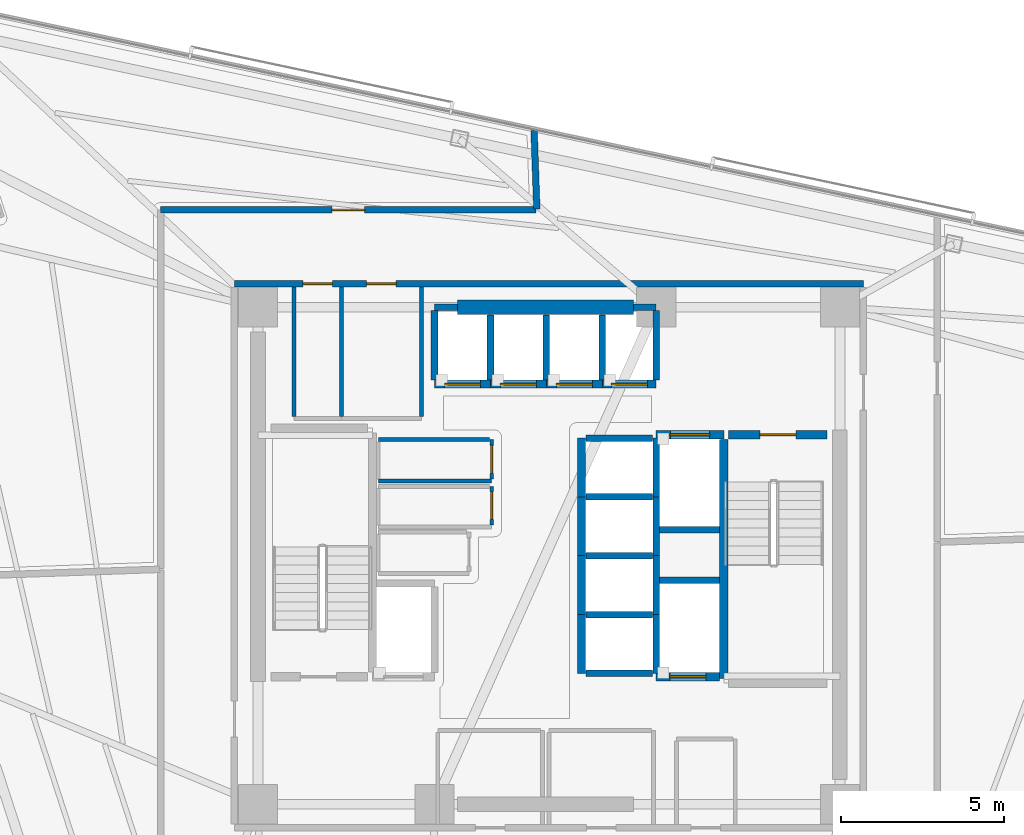
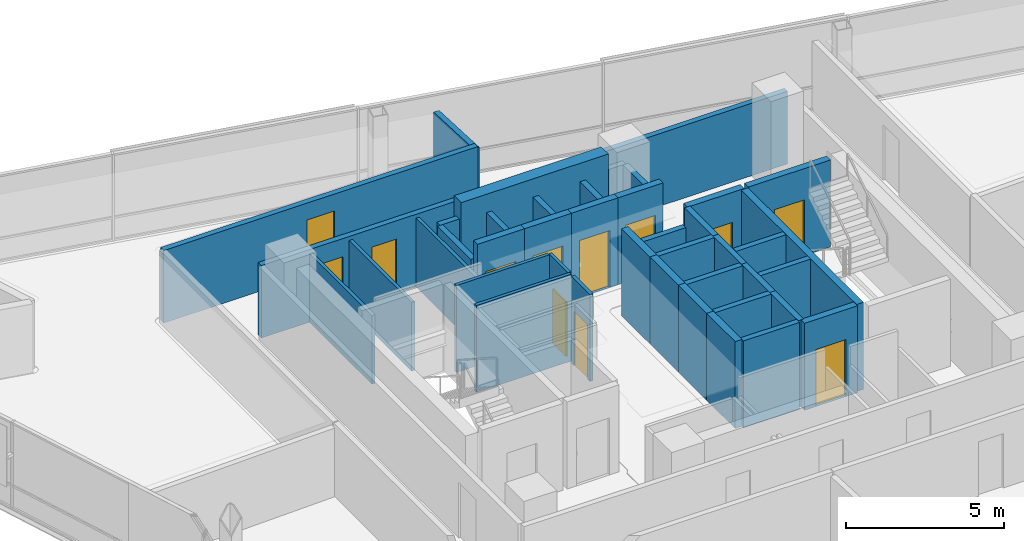
# One storey, part 11 of 17: 41 walls, 12 doors, 12 openings.
"""IFC4 building model written with IfcOpenShell, lengths in metres."""

import ifcopenshell
import ifcopenshell.guid

model = None  # the IFC model being written
_history = None  # IfcOwnerHistory: only IFC2X3 demands one
_inside = {}  # id of a spatial element -> (the spatial element, [elements in it])
_under = {}  # id of a project, library or spatial element -> (it, [spatial elements below it])
_declared = {}  # id of a project -> (the project, [libraries it declares])
_typed = {}  # id of a type object -> (the type object, [elements of that type])
_made_of = {}  # id of a material, layer set ... -> (it, [elements and type objects made of it])


def new_model(schema):
    """Start an empty IFC model of exactly this schema.

    Asked for "IFC4X3", IfcOpenShell would pick the latest addendum, in which some entities
    have other attributes; the version numbers below select the first issue.
    IFC2X3 requires an IfcOwnerHistory on every rooted entity: one is made here for all.
    """
    global model, _history
    if schema == "IFC4X3":
        model = ifcopenshell.file(schema_version=(4, 3, 0, 0))
    else:
        model = ifcopenshell.file(schema=schema)
    _inside.clear()
    _under.clear()
    _declared.clear()
    _typed.clear()
    _made_of.clear()
    _history = None
    if model.schema == "IFC2X3":
        org = make("IfcOrganization", Name="unknown")
        user = make(
            "IfcPersonAndOrganization",
            ThePerson=make("IfcPerson", FamilyName="unknown"),
            TheOrganization=org,
        )
        app = make(
            "IfcApplication",
            ApplicationDeveloper=org,
            Version="unknown",
            ApplicationFullName="unknown",
            ApplicationIdentifier="unknown",
        )
        _history = make(
            "IfcOwnerHistory",
            OwningUser=user,
            OwningApplication=app,
            ChangeAction="ADDED",
            CreationDate=0,
        )
    return model


def make(cls, **values):
    """One entity of the class cls with the attributes given. An attribute that is None is left unset."""
    return model.create_entity(
        cls, **{name: value for name, value in values.items() if value is not None}
    )


def rooted(cls, **values):
    """An entity with a GlobalId (a new one), such as an element, a storey or a relation."""
    return make(cls, GlobalId=ifcopenshell.guid.new(), OwnerHistory=_history, **values)


def si_unit(unit_type, name, prefix=None):
    """IfcSIUnit, for example si_unit("LENGTHUNIT", "METRE", prefix="MILLI")."""
    return make("IfcSIUnit", UnitType=unit_type, Prefix=prefix, Name=name)


def assignment(units):
    """IfcUnitAssignment: the units of a project."""
    return None if units is None else make("IfcUnitAssignment", Units=units)


def point(xyz):
    """IfcCartesianPoint."""
    return None if xyz is None else make("IfcCartesianPoint", Coordinates=xyz)


def direction(xyz):
    """IfcDirection."""
    return None if xyz is None else make("IfcDirection", DirectionRatios=xyz)


def frame(location, z_axis=None, x_axis=None):
    """IfcAxis2Placement3D, a coordinate frame: its origin and axes. An axis left out is left unset."""
    return make(
        "IfcAxis2Placement3D",
        Location=point(location),
        Axis=direction(z_axis),
        RefDirection=direction(x_axis),
    )


def frame_2d(location, x_axis=None):
    """IfcAxis2Placement2D, a coordinate frame in the plane: its origin and x axis."""
    return make(
        "IfcAxis2Placement2D", Location=point(location), RefDirection=direction(x_axis)
    )


def origin():
    """The frame at (0, 0, 0) with its axes left unset."""
    return frame((0.0, 0.0, 0.0))


def place(relative_to, where):
    """IfcLocalPlacement: puts the frame where relative to a parent placement (None: the world)."""
    return make(
        "IfcLocalPlacement", PlacementRelTo=relative_to, RelativePlacement=where
    )


def context(
    kind, dimensions, precision=None, world=None, true_north=None, identifier=None
):
    """IfcGeometricRepresentationContext, for example the 3D "Model" context."""
    return make(
        "IfcGeometricRepresentationContext",
        ContextIdentifier=identifier,
        ContextType=kind,
        CoordinateSpaceDimension=dimensions,
        Precision=precision,
        WorldCoordinateSystem=world,
        TrueNorth=true_north,
    )


def subcontext(parent, identifier, kind, view, scale=None):
    """IfcGeometricRepresentationSubContext, for example "Body" below "Model"."""
    return make(
        "IfcGeometricRepresentationSubContext",
        ContextIdentifier=identifier,
        ContextType=kind,
        ParentContext=parent,
        TargetScale=scale,
        TargetView=view,
    )


def project(units=None, contexts=None):
    """IfcProject with its units and contexts."""
    return rooted(
        "IfcProject",
        Name="project",
        RepresentationContexts=contexts,
        UnitsInContext=assignment(units),
    )


def spatial(cls, under=None, at=None, **own):
    """A site, building, storey or space (cls), placed at a placement, below another one or the project."""
    s = rooted(cls, ObjectPlacement=at, **own)
    if under is not None:
        _under.setdefault(under.id(), (under, []))[1].append(s)
    return s


def profile(cls, at=None, kind="AREA", **sizes):
    """A parametric profile (cls). Its sizes go by their IFC names, for example OverallWidth=200.0."""
    return make(cls, ProfileType=kind, Position=at, **sizes)


def rectangle(**sizes):
    """IfcRectangleProfileDef."""
    return profile("IfcRectangleProfileDef", **sizes)


def extrude(swept, where, along, depth):
    """IfcExtrudedAreaSolid: the profile swept, set in the frame where, extruded along a direction by depth."""
    return make(
        "IfcExtrudedAreaSolid",
        SweptArea=swept,
        Position=where,
        ExtrudedDirection=direction(along),
        Depth=depth,
    )


def shape(context_of_items, identifier, shape_type, items):
    """IfcShapeRepresentation: the items that make up one representation, for example the "Body"."""
    return make(
        "IfcShapeRepresentation",
        ContextOfItems=context_of_items,
        RepresentationIdentifier=identifier,
        RepresentationType=shape_type,
        Items=items,
    )


def material(Name=None, Category=None):
    """IfcMaterial."""
    return make("IfcMaterial", Name=Name, Category=Category)


def layer(
    of_material, thickness, ventilated=None, Name=None, Category=None, Priority=None
):
    """IfcMaterialLayer: one layer of a wall or slab, of a material (None: an air gap)."""
    return make(
        "IfcMaterialLayer",
        Material=of_material,
        LayerThickness=thickness,
        IsVentilated=ventilated,
        Name=Name,
        Category=Category,
        Priority=Priority,
    )


def layer_set(layers, Name=None):
    """IfcMaterialLayerSet."""
    return make("IfcMaterialLayerSet", MaterialLayers=layers, LayerSetName=Name)


def made_of(thing, what):
    """Note that an element or type object is made of a material, layer set ...; save() writes the relation."""
    if what is not None:
        _made_of.setdefault(what.id(), (what, []))[1].append(thing)
    return thing


def type_object(cls, material=None, **own):
    """A type object (cls), such as IfcWallType, which elements share."""
    return made_of(rooted(cls, **own), material)


def element(
    cls,
    number,
    at=None,
    inside=None,
    cuts=None,
    type_object=None,
    material=None,
    context=None,
    identifier="Body",
    shape_type=None,
    held_by="IfcProductDefinitionShape",
    body=None,
    shapes=None,
    **own,
):
    """One element of the class cls, such as IfcWall. Its Tag is "e" and its number.

    at: its placement. inside: the storey or other place that contains it. cuts: it is an
    opening in that element (IfcRelVoidsElement). A single representation is given by context,
    identifier, shape_type and body (its items); several are given by shapes. held_by: the class
    of the entity that holds the representations. save() writes the other relations.
    """
    e = rooted(cls, Tag="e%d" % number, ObjectPlacement=at, **own)
    if body is not None:
        shapes = [shape(context, identifier, shape_type, body)]
    if shapes is not None:
        e.Representation = make(held_by, Representations=shapes)
    if inside is not None:
        _inside.setdefault(inside.id(), (inside, []))[1].append(e)
    if cuts is not None:
        rooted(
            "IfcRelVoidsElement", RelatingBuildingElement=cuts, RelatedOpeningElement=e
        )
    if type_object is not None:
        _typed.setdefault(type_object.id(), (type_object, []))[1].append(e)
    return made_of(e, material)


def fill(opening, filler):
    """IfcRelFillsElement: the door or window that sits in an opening."""
    return rooted(
        "IfcRelFillsElement",
        RelatingOpeningElement=opening,
        RelatedBuildingElement=filler,
    )


def aggregate(whole, parts):
    """IfcRelAggregates: a whole, such as a stair, and the parts it consists of."""
    return rooted("IfcRelAggregates", RelatingObject=whole, RelatedObjects=parts)


def save(model, path):
    """Write the relations noted so far, then the file.

    IfcRelAggregates (storeys below a building ...), IfcRelContainedInSpatialStructure (elements
    in a storey), IfcRelDefinesByType, IfcRelAssociatesMaterial and IfcRelDeclares: one each for
    every whole, place, type object, material and project.
    """
    for whole, parts in _under.values():
        aggregate(whole, parts)
    for where, things in _inside.values():
        rooted(
            "IfcRelContainedInSpatialStructure",
            RelatedElements=things,
            RelatingStructure=where,
        )
    for kind, things in _typed.values():
        rooted("IfcRelDefinesByType", RelatedObjects=things, RelatingType=kind)
    for what, things in _made_of.values():
        rooted("IfcRelAssociatesMaterial", RelatedObjects=things, RelatingMaterial=what)
    for by, libraries in _declared.values():
        rooted("IfcRelDeclares", RelatingContext=by, RelatedDefinitions=libraries)
    model.write(path)


model = new_model("IFC4")

# Units and contexts
model_context = context("Model", 3, precision=1e-05, world=origin(), true_north=direction((0.0, 1.0)))
body_context = subcontext(model_context, "Body", "Model", "MODEL_VIEW")
ifc_project = project(units=[si_unit("LENGTHUNIT", "METRE"), si_unit("AREAUNIT", "SQUARE_METRE"), si_unit("VOLUMEUNIT", "CUBIC_METRE"), si_unit("PLANEANGLEUNIT", "RADIAN"), si_unit("MASSUNIT", "GRAM", prefix="KILO")], contexts=[model_context])

# Site, building, storey
site_placement = place(None, origin())
site = spatial("IfcSite", under=ifc_project, at=site_placement, CompositionType="ELEMENT")
building_placement = place(site_placement, origin())
building = spatial("IfcBuilding", under=site, at=building_placement, Name="Tharavind Bronze Gate", CompositionType="ELEMENT")
storey_placement = place(building_placement, frame((0.0, 0.0, 218.449951171875)))
storey = spatial("IfcBuildingStorey", under=building, at=storey_placement, Name="L56", CompositionType="ELEMENT", Elevation=218.449951171875)

# Wall, openings, doors
ifc_material_1 = material(Name="Aerated Concrete Block", Category="concrete")
ifc_layer_1 = layer(ifc_material_1, 0.199951171875)
ifc_layer_set_1 = layer_set([ifc_layer_1], Name="Aerated Concrete Block")
wall_type_1 = type_object("IfcWallType", Name="FIRE RATED PARTITION 200", PredefinedType="PARTITIONING", material=ifc_layer_set_1)
wall_1_placement = place(storey_placement, frame((9.6201171875, 8.320068359375, 0.0), z_axis=(0.0, 0.0, 1.0), x_axis=(-1.0, 0.0, 0.0)))
wall_1 = element("IfcWall", 1, at=wall_1_placement, inside=storey, type_object=wall_type_1, Name="L56 north core corridor wall", PredefinedType="PARTITIONING", context=body_context, shape_type="SweptSolid", body=[
    extrude(rectangle(XDim=19.240234375, YDim=0.199951171875, at=frame_2d((9.6201171875, 0.0))), origin(), (0.0, 0.0, 1.0), 2.804931640625),
])
opening_1_placement = place(wall_1_placement, frame((16.2451171875, 0.0, 0.0)))
opening_1 = element("IfcOpeningElement", 2, at=opening_1_placement, cuts=wall_1, Name="Opening ID07", PredefinedType="OPENING", context=body_context, shape_type="SweptSolid", body=[
    extrude(rectangle(XDim=0.89990234375, YDim=2.10009765625, at=frame_2d((0.449951171875, 1.050048828125))), frame((0.0, 0.11009765625, 0.0), z_axis=(0.0, -1.0, 0.0), x_axis=(1.0, 0.0, 0.0)), (0.0, 0.0, 1.0), 0.219951171875),
])
opening_2_placement = place(wall_1_placement, frame((14.294921875, 0.0, 0.0)))
opening_2 = element("IfcOpeningElement", 3, at=opening_2_placement, cuts=wall_1, Name="Opening ID07", PredefinedType="OPENING", context=body_context, shape_type="SweptSolid", body=[
    extrude(rectangle(XDim=0.89990234375, YDim=2.10009765625, at=frame_2d((0.449951171875, 1.050048828125))), frame((0.0, 0.11009765625, 0.0), z_axis=(0.0, -1.0, 0.0), x_axis=(1.0, 0.0, 0.0)), (0.0, 0.0, 1.0), 0.219951171875),
])
ifc_material_2 = material(Name="Galvanised Fire Steel", Category="steel")
door_type_1 = type_object("IfcDoorType", Name="PLANT AND RISER FIRE DOOR 900X2100", OperationType="SINGLE_SWING_LEFT", PredefinedType="DOOR", material=ifc_material_2)
door_1_placement = place(opening_1_placement, frame((0.89990234375, 0.0, 0.0), z_axis=(0.0, 0.0, 1.0), x_axis=(-1.0, 0.0, 0.0)))
door_1 = element("IfcDoor", 4, at=door_1_placement, inside=storey, type_object=door_type_1, Name="L56 Battery Backup Cupboard fire door", OperationType="SINGLE_SWING_LEFT", OverallHeight=2.10009765625, OverallWidth=0.89990234375, PredefinedType="DOOR", context=body_context, shape_type="SweptSolid", body=[
    extrude(rectangle(XDim=0.89990234375, YDim=2.10009765625, at=frame_2d((0.449951171875, 1.050048828125))), frame((0.0, 0.02490234375, 0.0), z_axis=(0.0, -1.0, 0.0), x_axis=(1.0, 0.0, 0.0)), (0.0, 0.0, 1.0), 0.050048828125),
])
fill(opening_1, door_1)
door_2_placement = place(opening_2_placement, frame((0.89990234375, 0.0, 0.0), z_axis=(0.0, 0.0, 1.0), x_axis=(-1.0, 0.0, 0.0)))
door_2 = element("IfcDoor", 5, at=door_2_placement, inside=storey, type_object=door_type_1, Name="L56 Cleaner Store Room fire door", OperationType="SINGLE_SWING_LEFT", OverallHeight=2.10009765625, OverallWidth=0.89990234375, PredefinedType="DOOR", context=body_context, shape_type="SweptSolid", body=[
    extrude(rectangle(XDim=0.89990234375, YDim=2.10009765625, at=frame_2d((0.449951171875, 1.050048828125))), frame((0.0, 0.02490234375, 0.0), z_axis=(0.0, -1.0, 0.0), x_axis=(1.0, 0.0, 0.0)), (0.0, 0.0, 1.0), 0.050048828125),
])
fill(opening_2, door_2)

# Wall
wall_2_placement = place(storey_placement, frame((-0.45458984375, 13.014892578125, 0.0), z_axis=(0.0, 0.0, 1.0), x_axis=(0.034943681227, -0.999389283084, 0.0)))
element("IfcWall", 6, at=wall_2_placement, inside=storey, type_object=wall_type_1, Name="L56 Media Production Office partition", PredefinedType="PARTITIONING", context=body_context, shape_type="SweptSolid", body=[
    extrude(rectangle(XDim=2.410400390625, YDim=0.199951171875, at=frame_2d((1.205078125, 0.0))), origin(), (0.0, 0.0, 1.0), 2.655029296875),
])

# Wall, opening, door
wall_3_placement = place(storey_placement, frame((-0.395263671875, 10.580078125, 0.0), z_axis=(0.0, 0.0, 1.0), x_axis=(-1.0, 0.0, 0.0)))
wall_3 = element("IfcWall", 7, at=wall_3_placement, inside=storey, type_object=wall_type_1, Name="L56 Media Production Office partition", PredefinedType="PARTITIONING", context=body_context, shape_type="SweptSolid", body=[
    extrude(rectangle(XDim=11.484130859375, YDim=0.199951171875, at=frame_2d((5.7421875, 0.0))), origin(), (0.0, 0.0, 1.0), 2.804931640625),
])
opening_3_placement = place(wall_3_placement, frame((5.241943359375, 0.0, 0.0)))
opening_3 = element("IfcOpeningElement", 8, at=opening_3_placement, cuts=wall_3, Name="Opening ID04", PredefinedType="OPENING", context=body_context, shape_type="SweptSolid", body=[
    extrude(rectangle(XDim=1.0, YDim=2.14990234375, at=frame_2d((0.5, 1.074951171875))), frame((0.0, 0.11009765625, 0.0), z_axis=(0.0, -1.0, 0.0), x_axis=(1.0, 0.0, 0.0)), (0.0, 0.0, 1.0), 0.219951171875),
])
ifc_material_3 = material(Name="Bronze Framed Acoustic Timber", Category="wood")
door_type_2 = type_object("IfcDoorType", Name="OFFICE TENANCY DOOR 1000X2150", OperationType="SINGLE_SWING_RIGHT", PredefinedType="DOOR", material=ifc_material_3)
door_3_placement = place(opening_3_placement, origin())
door_3 = element("IfcDoor", 9, at=door_3_placement, inside=storey, type_object=door_type_2, Name="L56 Media Production Office door", OperationType="SINGLE_SWING_RIGHT", OverallHeight=2.14990234375, OverallWidth=1.0, PredefinedType="DOOR", context=body_context, shape_type="SweptSolid", body=[
    extrude(rectangle(XDim=1.0, YDim=2.14990234375, at=frame_2d((0.5, 1.074951171875))), frame((0.0, 0.02490234375, 0.0), z_axis=(0.0, -1.0, 0.0), x_axis=(1.0, 0.0, 0.0)), (0.0, 0.0, 1.0), 0.050048828125),
])
fill(opening_3, door_3)

# Wall
ifc_material_4 = material(Name="Metal Stud Gypsum Partition", Category="gypsum")
ifc_layer_2 = layer(ifc_material_4, 0.1201171875)
ifc_layer_set_2 = layer_set([ifc_layer_2], Name="Metal Stud Gypsum Partition")
wall_type_2 = type_object("IfcWallType", Name="INTERIOR PARTITION WALL 120", PredefinedType="PARTITIONING", material=ifc_layer_set_2)
wall_4_placement = place(storey_placement, frame((-5.219970703125, 2.280029296875, 0.0), z_axis=(0.0, 0.0, 1.0), x_axis=(1.0, 0.0, 0.0)))
element("IfcWall", 10, at=wall_4_placement, inside=storey, type_object=wall_type_2, Name="L56 Housekeeping Linen Store partition 1", PredefinedType="PARTITIONING", context=body_context, shape_type="SweptSolid", body=[
    extrude(rectangle(XDim=3.469970703125, YDim=0.1201171875, at=frame_2d((1.73486328125, 0.0))), origin(), (0.0, 0.0, 1.0), 3.360107421875),
])

# Wall, opening, door
wall_5_placement = place(storey_placement, frame((-1.75, 2.344970703125, 0.0), z_axis=(0.0, 0.0, 1.0), x_axis=(0.0, 1.0, 0.0)))
wall_5 = element("IfcWall", 11, at=wall_5_placement, inside=storey, type_object=wall_type_2, Name="L56 Housekeeping Linen Store partition 2", PredefinedType="PARTITIONING", context=body_context, shape_type="SweptSolid", body=[
    extrude(rectangle(XDim=1.205078125, YDim=0.1201171875, at=frame_2d((0.6025390625, 0.0))), origin(), (0.0, 0.0, 1.0), 3.360107421875),
])
opening_4_placement = place(wall_5_placement, frame((0.177001953125, 0.0, 0.0)))
opening_4 = element("IfcOpeningElement", 12, at=opening_4_placement, cuts=wall_5, Name="Opening ID06", PredefinedType="OPENING", context=body_context, shape_type="SweptSolid", body=[
    extrude(rectangle(XDim=0.85009765625, YDim=2.10009765625, at=frame_2d((0.425048828125, 1.050048828125))), frame((0.0, 0.07005859375, 0.0), z_axis=(0.0, -1.0, 0.0), x_axis=(1.0, 0.0, 0.0)), (0.0, 0.0, 1.0), 0.1401171875),
])
ifc_material_5 = material(Name="Moisture-Resistant Timber", Category="wood")
door_type_3 = type_object("IfcDoorType", Name="BATHROOM PRIVACY DOOR 850X2100", OperationType="SINGLE_SWING_RIGHT", PredefinedType="DOOR", material=ifc_material_5)
door_4_placement = place(opening_4_placement, frame((0.85009765625, 0.0, 0.0), z_axis=(0.0, 0.0, 1.0), x_axis=(-1.0, 0.0, 0.0)))
door_4 = element("IfcDoor", 13, at=door_4_placement, inside=storey, type_object=door_type_3, Name="L56 Housekeeping Linen Store door", OperationType="SINGLE_SWING_RIGHT", OverallHeight=2.10009765625, OverallWidth=0.85009765625, PredefinedType="DOOR", context=body_context, shape_type="SweptSolid", body=[
    extrude(rectangle(XDim=0.85009765625, YDim=2.10009765625, at=frame_2d((0.425048828125, 1.050048828125))), frame((0.0, 0.02490234375, 0.0), z_axis=(0.0, -1.0, 0.0), x_axis=(1.0, 0.0, 0.0)), (0.0, 0.0, 1.0), 0.050048828125),
])
fill(opening_4, door_4)

# Wall
wall_6_placement = place(storey_placement, frame((-1.81494140625, 3.550048828125, 0.0), z_axis=(0.0, 0.0, 1.0), x_axis=(-1.0, 0.0, 0.0)))
element("IfcWall", 14, at=wall_6_placement, inside=storey, type_object=wall_type_2, Name="L56 Housekeeping Linen Store partition 3", PredefinedType="PARTITIONING", context=body_context, shape_type="SweptSolid", body=[
    extrude(rectangle(XDim=3.405029296875, YDim=0.1201171875, at=frame_2d((1.70263671875, 0.0))), origin(), (0.0, 0.0, 1.0), 3.360107421875),
])

# Wall, opening, door
wall_7_placement = place(storey_placement, frame((-1.75, 0.945068359375, 0.0), z_axis=(0.0, 0.0, 1.0), x_axis=(0.0, 1.0, 0.0)))
wall_7 = element("IfcWall", 15, at=wall_7_placement, inside=storey, type_object=wall_type_2, Name="L56 Comms Data Room partition 2", PredefinedType="PARTITIONING", context=body_context, shape_type="SweptSolid", body=[
    extrude(rectangle(XDim=1.175048828125, YDim=0.1201171875, at=frame_2d((0.58740234375, 0.0))), origin(), (0.0, 0.0, 1.0), 3.360107421875),
])
opening_5_placement = place(wall_7_placement, frame((0.1630859375, 0.0, 0.0)))
opening_5 = element("IfcOpeningElement", 16, at=opening_5_placement, cuts=wall_7, Name="Opening ID06", PredefinedType="OPENING", context=body_context, shape_type="SweptSolid", body=[
    extrude(rectangle(XDim=0.85009765625, YDim=2.10009765625, at=frame_2d((0.425048828125, 1.050048828125))), frame((0.0, 0.07005859375, 0.0), z_axis=(0.0, -1.0, 0.0), x_axis=(1.0, 0.0, 0.0)), (0.0, 0.0, 1.0), 0.1401171875),
])
door_5_placement = place(opening_5_placement, frame((0.85009765625, 0.0, 0.0), z_axis=(0.0, 0.0, 1.0), x_axis=(-1.0, 0.0, 0.0)))
door_5 = element("IfcDoor", 17, at=door_5_placement, inside=storey, type_object=door_type_3, Name="L56 Comms Data Room door", OperationType="SINGLE_SWING_RIGHT", OverallHeight=2.10009765625, OverallWidth=0.85009765625, PredefinedType="DOOR", context=body_context, shape_type="SweptSolid", body=[
    extrude(rectangle(XDim=0.85009765625, YDim=2.10009765625, at=frame_2d((0.425048828125, 1.050048828125))), frame((0.0, 0.02490234375, 0.0), z_axis=(0.0, -1.0, 0.0), x_axis=(1.0, 0.0, 0.0)), (0.0, 0.0, 1.0), 0.050048828125),
])
fill(opening_5, door_5)

# Walls
for number, where, z_axis, x_axis, name in (
    (18, (-6.35009765625, 4.264892578125, 0.0), (0.0, 0.0, 1.0), (0.0, 1.0, 0.0), "L56 Battery Backup Cupboard partition 2"),
    (19, (-7.800048828125, 8.215087890625, 0.0), (0.0, 0.0, 1.0), (0.0, -1.0, 0.0), "L56 Battery Backup Cupboard partition 4"),
    (20, (-3.89990234375, 4.264892578125, 0.0), (0.0, 0.0, 1.0), (0.0, 1.0, 0.0), "L56 Cleaner Store Room partition 2"),
):
    element("IfcWall", number, at=place(storey_placement, frame(where, z_axis=z_axis, x_axis=x_axis)), inside=storey, type_object=wall_type_2, Name=name, PredefinedType="PARTITIONING", context=body_context, shape_type="SweptSolid", body=[
        extrude(rectangle(XDim=3.9501953125, YDim=0.1201171875, at=frame_2d((1.97509765625, 0.0))), origin(), (0.0, 0.0, 1.0), 2.655029296875),
    ])
ifc_material_6 = material(Name="Concrete C50/60", Category="concrete")
ifc_layer_3 = layer(ifc_material_6, 0.25)
ifc_layer_set_3 = layer_set([ifc_layer_3], Name="Concrete C50/60")
wall_type_3 = type_object("IfcWallType", Name="RC CORE SHEAR WALL 250", PredefinedType="SHEAR", material=ifc_layer_set_3)
wall_8_placement = place(storey_placement, frame((5.35009765625, -3.75, 0.0), z_axis=(0.0, 0.0, 1.0), x_axis=(0.0, 1.0, 0.0)))
element("IfcWall", 21, at=wall_8_placement, inside=storey, type_object=wall_type_3, Name="L56 ST2 shaft west wall", PredefinedType="SHEAR", context=body_context, shape_type="SweptSolid", body=[
    extrude(rectangle(XDim=7.300048828125, YDim=0.25, at=frame_2d((3.64990234375, 0.0))), origin(), (0.0, 0.0, 1.0), 3.360107421875),
])

# Wall, opening, door
wall_9_placement = place(storey_placement, frame((5.5, 3.699951171875, 0.0), z_axis=(0.0, 0.0, 1.0), x_axis=(1.0, 0.0, 0.0)))
wall_9 = element("IfcWall", 22, at=wall_9_placement, inside=storey, type_object=wall_type_3, Name="L56 ST2 shaft north wall", PredefinedType="SHEAR", context=body_context, shape_type="SweptSolid", body=[
    extrude(rectangle(XDim=3.0, YDim=0.25, at=frame_2d((1.5, 0.0))), origin(), (0.0, 0.0, 1.0), 3.360107421875),
])
opening_6_placement = place(wall_9_placement, frame((0.949951171875, 0.0, 0.0)))
opening_6 = element("IfcOpeningElement", 23, at=opening_6_placement, cuts=wall_9, Name="Opening ID01", PredefinedType="OPENING", context=body_context, shape_type="SweptSolid", body=[
    extrude(rectangle(XDim=1.10009765625, YDim=2.14990234375, at=frame_2d((0.550048828125, 1.074951171875))), frame((0.0, 0.135, 0.0), z_axis=(0.0, -1.0, 0.0), x_axis=(1.0, 0.0, 0.0)), (0.0, 0.0, 1.0), 0.27),
])
ifc_material_7 = material(Name="Fire-Rated Steel", Category="steel")
door_type_4 = type_object("IfcDoorType", Name="STAIR CORE FIRE DOOR 1100X2150", OperationType="SINGLE_SWING_LEFT", PredefinedType="DOOR", material=ifc_material_7)
door_6_placement = place(opening_6_placement, frame((1.10009765625, 0.0, 0.0), z_axis=(0.0, 0.0, 1.0), x_axis=(-1.0, 0.0, 0.0)))
door_6 = element("IfcDoor", 24, at=door_6_placement, inside=storey, type_object=door_type_4, Name="L56 exit stair ST2 fire door", OperationType="SINGLE_SWING_LEFT", OverallHeight=2.14990234375, OverallWidth=1.10009765625, PredefinedType="DOOR", context=body_context, shape_type="SweptSolid", body=[
    extrude(rectangle(XDim=1.10009765625, YDim=2.14990234375, at=frame_2d((0.550048828125, 1.074951171875))), frame((0.0, 0.02490234375, 0.0), z_axis=(0.0, -1.0, 0.0), x_axis=(1.0, 0.0, 0.0)), (0.0, 0.0, 1.0), 0.050048828125),
])
fill(opening_6, door_6)

wall_10_placement = place(storey_placement, frame((-3.5, 5.25, 0.0), z_axis=(0.0, 0.0, 1.0), x_axis=(1.0, 0.0, 0.0)))
wall_10 = element("IfcWall", 25, at=wall_10_placement, inside=storey, type_object=wall_type_3, Name="L56 lift PL5 shaft front wall", PredefinedType="SHEAR", context=body_context, shape_type="SweptSolid", body=[
    extrude(rectangle(XDim=1.71240234375, YDim=0.25, at=frame_2d((0.856201171875, 0.0))), origin(), (0.0, 0.0, 1.0), 3.360107421875),
])
opening_7_placement = place(wall_10_placement, frame((0.305908203125, 0.0, 0.0)))
opening_7 = element("IfcOpeningElement", 26, at=opening_7_placement, cuts=wall_10, Name="Opening LD01", PredefinedType="OPENING", context=body_context, shape_type="SweptSolid", body=[
    extrude(rectangle(XDim=1.10009765625, YDim=2.199951171875, at=frame_2d((0.550048828125, 1.10009765625))), frame((0.0, 0.135, 0.0), z_axis=(0.0, -1.0, 0.0), x_axis=(1.0, 0.0, 0.0)), (0.0, 0.0, 1.0), 0.27),
])
ifc_material_8 = material(Name="Brushed Bronze Stainless Steel", Category="steel")
door_type_5 = type_object("IfcDoorType", Name="LIFT LANDING SLIDING DOOR 1100X2200", OperationType="SLIDING_TO_LEFT", PredefinedType="DOOR", material=ifc_material_8)
door_7_placement = place(opening_7_placement, origin())
door_7 = element("IfcDoor", 27, at=door_7_placement, inside=storey, type_object=door_type_5, Name="L56 lift PL5 sliding landing door", OperationType="SLIDING_TO_LEFT", OverallHeight=2.199951171875, OverallWidth=1.10009765625, PredefinedType="DOOR", context=body_context, shape_type="SweptSolid", body=[
    extrude(rectangle(XDim=1.10009765625, YDim=2.199951171875, at=frame_2d((0.550048828125, 1.10009765625))), frame((0.0, 0.02490234375, 0.0), z_axis=(0.0, -1.0, 0.0), x_axis=(1.0, 0.0, 0.0)), (0.0, 0.0, 1.0), 0.050048828125),
])
fill(opening_7, door_7)

wall_11_placement = place(storey_placement, frame((-1.78759765625, 5.25, 0.0), z_axis=(0.0, 0.0, 1.0), x_axis=(1.0, 0.0, 0.0)))
wall_11 = element("IfcWall", 28, at=wall_11_placement, inside=storey, type_object=wall_type_3, Name="L56 lift PL6 shaft front wall", PredefinedType="SHEAR", context=body_context, shape_type="SweptSolid", body=[
    extrude(rectangle(XDim=1.712646484375, YDim=0.25, at=frame_2d((0.8564453125, 0.0))), origin(), (0.0, 0.0, 1.0), 3.360107421875),
])
opening_8_placement = place(wall_11_placement, frame((0.305908203125, 0.0, 0.0)))
opening_8 = element("IfcOpeningElement", 29, at=opening_8_placement, cuts=wall_11, Name="Opening LD01", PredefinedType="OPENING", context=body_context, shape_type="SweptSolid", body=[
    extrude(rectangle(XDim=1.10009765625, YDim=2.199951171875, at=frame_2d((0.550048828125, 1.10009765625))), frame((0.0, 0.135, 0.0), z_axis=(0.0, -1.0, 0.0), x_axis=(1.0, 0.0, 0.0)), (0.0, 0.0, 1.0), 0.27),
])
door_8_placement = place(opening_8_placement, origin())
door_8 = element("IfcDoor", 30, at=door_8_placement, inside=storey, type_object=door_type_5, Name="L56 lift PL6 sliding landing door", OperationType="SLIDING_TO_LEFT", OverallHeight=2.199951171875, OverallWidth=1.10009765625, PredefinedType="DOOR", context=body_context, shape_type="SweptSolid", body=[
    extrude(rectangle(XDim=1.10009765625, YDim=2.199951171875, at=frame_2d((0.550048828125, 1.10009765625))), frame((0.0, 0.02490234375, 0.0), z_axis=(0.0, -1.0, 0.0), x_axis=(1.0, 0.0, 0.0)), (0.0, 0.0, 1.0), 0.050048828125),
])
fill(opening_8, door_8)

wall_12_placement = place(storey_placement, frame((-0.074951171875, 5.25, 0.0), z_axis=(0.0, 0.0, 1.0), x_axis=(1.0, 0.0, 0.0)))
wall_12 = element("IfcWall", 31, at=wall_12_placement, inside=storey, type_object=wall_type_3, Name="L56 lift PL7 shaft front wall", PredefinedType="SHEAR", context=body_context, shape_type="SweptSolid", body=[
    extrude(rectangle(XDim=1.71240234375, YDim=0.25, at=frame_2d((0.856201171875, 0.0))), origin(), (0.0, 0.0, 1.0), 3.360107421875),
])
opening_9_placement = place(wall_12_placement, frame((0.305908203125, 0.0, 0.0)))
opening_9 = element("IfcOpeningElement", 32, at=opening_9_placement, cuts=wall_12, Name="Opening LD01", PredefinedType="OPENING", context=body_context, shape_type="SweptSolid", body=[
    extrude(rectangle(XDim=1.10009765625, YDim=2.199951171875, at=frame_2d((0.550048828125, 1.10009765625))), frame((0.0, 0.135, 0.0), z_axis=(0.0, -1.0, 0.0), x_axis=(1.0, 0.0, 0.0)), (0.0, 0.0, 1.0), 0.27),
])
door_9_placement = place(opening_9_placement, origin())
door_9 = element("IfcDoor", 33, at=door_9_placement, inside=storey, type_object=door_type_5, Name="L56 lift PL7 sliding landing door", OperationType="SLIDING_TO_LEFT", OverallHeight=2.199951171875, OverallWidth=1.10009765625, PredefinedType="DOOR", context=body_context, shape_type="SweptSolid", body=[
    extrude(rectangle(XDim=1.10009765625, YDim=2.199951171875, at=frame_2d((0.550048828125, 1.10009765625))), frame((0.0, 0.02490234375, 0.0), z_axis=(0.0, -1.0, 0.0), x_axis=(1.0, 0.0, 0.0)), (0.0, 0.0, 1.0), 0.050048828125),
])
fill(opening_9, door_9)

wall_13_placement = place(storey_placement, frame((1.637451171875, 5.25, 0.0), z_axis=(0.0, 0.0, 1.0), x_axis=(1.0, 0.0, 0.0)))
wall_13 = element("IfcWall", 34, at=wall_13_placement, inside=storey, type_object=wall_type_3, Name="L56 lift PL8 shaft front wall", PredefinedType="SHEAR", context=body_context, shape_type="SweptSolid", body=[
    extrude(rectangle(XDim=1.642578125, YDim=0.25, at=frame_2d((0.8212890625, 0.0))), origin(), (0.0, 0.0, 1.0), 3.360107421875),
])
opening_10_placement = place(wall_13_placement, frame((0.27099609375, 0.0, 0.0)))
opening_10 = element("IfcOpeningElement", 35, at=opening_10_placement, cuts=wall_13, Name="Opening LD01", PredefinedType="OPENING", context=body_context, shape_type="SweptSolid", body=[
    extrude(rectangle(XDim=1.10009765625, YDim=2.199951171875, at=frame_2d((0.550048828125, 1.10009765625))), frame((0.0, 0.135, 0.0), z_axis=(0.0, -1.0, 0.0), x_axis=(1.0, 0.0, 0.0)), (0.0, 0.0, 1.0), 0.27),
])
door_10_placement = place(opening_10_placement, origin())
door_10 = element("IfcDoor", 36, at=door_10_placement, inside=storey, type_object=door_type_5, Name="L56 lift PL8 sliding landing door", OperationType="SLIDING_TO_LEFT", OverallHeight=2.199951171875, OverallWidth=1.10009765625, PredefinedType="DOOR", context=body_context, shape_type="SweptSolid", body=[
    extrude(rectangle(XDim=1.10009765625, YDim=2.199951171875, at=frame_2d((0.550048828125, 1.10009765625))), frame((0.0, 0.02490234375, 0.0), z_axis=(0.0, -1.0, 0.0), x_axis=(1.0, 0.0, 0.0)), (0.0, 0.0, 1.0), 0.050048828125),
])
fill(opening_10, door_10)

# Walls
for number, where, z_axis, x_axis, name in (
    (37, (1.0, -3.60009765625, 0.0), (0.0, 0.0, 1.0), (0.0, 1.0, 0.0), "L56 lift PL9 shaft front wall"),
    (38, (1.0, -1.800048828125, 0.0), (0.0, 0.0, 1.0), (0.0, 1.0, 0.0), "L56 lift PL10 shaft front wall"),
    (39, (1.0, 0.0, 0.0), (0.0, 0.0, 1.0), (0.0, 1.0, 0.0), "L56 lift PL11 shaft front wall"),
    (40, (1.0, 1.800048828125, 0.0), (0.0, 0.0, 1.0), (0.0, 1.0, 0.0), "L56 lift PL12 shaft front wall"),
):
    element("IfcWall", number, at=place(storey_placement, frame(where, z_axis=z_axis, x_axis=x_axis)), inside=storey, type_object=wall_type_3, Name=name, PredefinedType="SHEAR", context=body_context, shape_type="SweptSolid", body=[
        extrude(rectangle(XDim=1.800048828125, YDim=0.25, at=frame_2d((0.89990234375, 0.0))), origin(), (0.0, 0.0, 1.0), 3.360107421875),
    ])

# Wall, opening, door
wall_14_placement = place(storey_placement, frame((3.280029296875, 3.699951171875, 0.0), z_axis=(0.0, 0.0, 1.0), x_axis=(1.0, 0.0, 0.0)))
wall_14 = element("IfcWall", 41, at=wall_14_placement, inside=storey, type_object=wall_type_3, Name="L56 lift FFL2 shaft front wall", PredefinedType="SHEAR", context=body_context, shape_type="SweptSolid", body=[
    extrude(rectangle(XDim=2.070068359375, YDim=0.25, at=frame_2d((1.03515625, 0.0))), origin(), (0.0, 0.0, 1.0), 3.360107421875),
])
opening_11_placement = place(wall_14_placement, frame((0.43505859375, 0.0, 0.0)))
opening_11 = element("IfcOpeningElement", 42, at=opening_11_placement, cuts=wall_14, Name="Opening LD02", PredefinedType="OPENING", context=body_context, shape_type="SweptSolid", body=[
    extrude(rectangle(XDim=1.199951171875, YDim=2.199951171875, at=frame_2d((0.60009765625, 1.10009765625))), frame((0.0, 0.135, 0.0), z_axis=(0.0, -1.0, 0.0), x_axis=(1.0, 0.0, 0.0)), (0.0, 0.0, 1.0), 0.27),
])
ifc_material_9 = material(Name="Brushed Stainless Steel", Category="steel")
door_type_6 = type_object("IfcDoorType", Name="FIREFIGHTING LIFT LANDING DOOR 1200X2200", OperationType="SLIDING_TO_RIGHT", PredefinedType="DOOR", material=ifc_material_9)
door_11_placement = place(opening_11_placement, origin())
door_11 = element("IfcDoor", 43, at=door_11_placement, inside=storey, type_object=door_type_6, Name="L56 lift FFL2 sliding landing door", OperationType="SLIDING_TO_RIGHT", OverallHeight=2.199951171875, OverallWidth=1.199951171875, PredefinedType="DOOR", context=body_context, shape_type="SweptSolid", body=[
    extrude(rectangle(XDim=1.199951171875, YDim=2.199951171875, at=frame_2d((0.60009765625, 1.10009765625))), frame((0.0, 0.02490234375, 0.0), z_axis=(0.0, -1.0, 0.0), x_axis=(1.0, 0.0, 0.0)), (0.0, 0.0, 1.0), 0.050048828125),
])
fill(opening_11, door_11)

wall_15_placement = place(storey_placement, frame((3.280029296875, -3.699951171875, 0.0), z_axis=(0.0, 0.0, 1.0), x_axis=(1.0, 0.0, 0.0)))
wall_15 = element("IfcWall", 44, at=wall_15_placement, inside=storey, type_object=wall_type_3, Name="L56 lift SVL1 shaft front wall", PredefinedType="SHEAR", context=body_context, shape_type="SweptSolid", body=[
    extrude(rectangle(XDim=1.93994140625, YDim=0.25, at=frame_2d((0.969970703125, 0.0))), origin(), (0.0, 0.0, 1.0), 3.360107421875),
])
opening_12_placement = place(wall_15_placement, frame((0.419921875, 0.0, 0.0)))
opening_12 = element("IfcOpeningElement", 45, at=opening_12_placement, cuts=wall_15, Name="Opening LD01", PredefinedType="OPENING", context=body_context, shape_type="SweptSolid", body=[
    extrude(rectangle(XDim=1.10009765625, YDim=2.199951171875, at=frame_2d((0.550048828125, 1.10009765625))), frame((0.0, 0.135, 0.0), z_axis=(0.0, -1.0, 0.0), x_axis=(1.0, 0.0, 0.0)), (0.0, 0.0, 1.0), 0.27),
])
door_12_placement = place(opening_12_placement, origin())
door_12 = element("IfcDoor", 46, at=door_12_placement, inside=storey, type_object=door_type_5, Name="L56 lift SVL1 sliding landing door", OperationType="SLIDING_TO_LEFT", OverallHeight=2.199951171875, OverallWidth=1.10009765625, PredefinedType="DOOR", context=body_context, shape_type="SweptSolid", body=[
    extrude(rectangle(XDim=1.10009765625, YDim=2.199951171875, at=frame_2d((0.550048828125, 1.10009765625))), frame((0.0, 0.02490234375, 0.0), z_axis=(0.0, -1.0, 0.0), x_axis=(1.0, 0.0, 0.0)), (0.0, 0.0, 1.0), 0.050048828125),
])
fill(opening_12, door_12)

# Walls
ifc_material_10 = material(Name="Concrete C60/75", Category="concrete")
ifc_layer_4 = layer(ifc_material_10, 0.449951171875)
ifc_layer_set_4 = layer_set([ifc_layer_4], Name="Concrete C60/75")
wall_type_4 = type_object("IfcWallType", Name="RC CORE SHEAR WALL 450", PredefinedType="SHEAR", material=ifc_layer_set_4)
wall_16_placement = place(storey_placement, frame((-2.800048828125, 7.60009765625, 0.0), z_axis=(0.0, 0.0, 1.0), x_axis=(1.0, 0.0, 0.0)))
element("IfcWall", 47, at=wall_16_placement, inside=storey, type_object=wall_type_4, Name="L56 north core shear wall", PredefinedType="SHEAR", context=body_context, shape_type="SweptSolid", body=[
    extrude(rectangle(XDim=5.380126953125, YDim=0.449951171875, at=frame_2d((2.68994140625, 0.0))), origin(), (0.0, 0.0, 1.0), 3.360107421875),
])
ifc_material_11 = material(Name="Concrete C40/50", Category="concrete")
ifc_layer_5 = layer(ifc_material_11, 0.199951171875)
ifc_layer_set_5 = layer_set([ifc_layer_5], Name="Concrete C40/50")
wall_type_5 = type_object("IfcWallType", Name="SHAFT ENCLOSURE WALL 200", PredefinedType="PARTITIONING", material=ifc_layer_set_5)
wall_17_placement = place(storey_placement, frame((-3.5, 7.60009765625, 0.0), z_axis=(0.0, 0.0, 1.0), x_axis=(1.0, 0.0, 0.0)))
element("IfcWall", 48, at=wall_17_placement, inside=storey, type_object=wall_type_5, Name="L56 lift PL5 shaft N enclosure wall", PredefinedType="PARTITIONING", context=body_context, shape_type="SweptSolid", body=[
    extrude(rectangle(XDim=0.699951171875, YDim=0.199951171875, at=frame_2d((0.35009765625, 0.0))), origin(), (0.0, 0.0, 1.0), 2.655029296875),
])
wall_18_placement = place(storey_placement, frame((-3.5, 5.3798828125, 0.0), z_axis=(0.0, 0.0, 1.0), x_axis=(0.0, 1.0, 0.0)))
element("IfcWall", 49, at=wall_18_placement, inside=storey, type_object=wall_type_5, Name="L56 lift PL5 shaft W enclosure wall", PredefinedType="PARTITIONING", context=body_context, shape_type="SweptSolid", body=[
    extrude(rectangle(XDim=2.115234375, YDim=0.199951171875, at=frame_2d((1.0576171875, 0.0))), origin(), (0.0, 0.0, 1.0), 2.655029296875),
])
for number, where, z_axis, x_axis, name in (
    (50, (-1.78759765625, 5.3798828125, 0.0), (0.0, 0.0, 1.0), (0.0, 1.0, 0.0), "L56 lift PL5 shaft E enclosure wall"),
    (51, (-0.074951171875, 5.3798828125, 0.0), (0.0, 0.0, 1.0), (0.0, 1.0, 0.0), "L56 lift PL6 shaft E enclosure wall"),
    (52, (1.637451171875, 5.3798828125, 0.0), (0.0, 0.0, 1.0), (0.0, 1.0, 0.0), "L56 lift PL7 shaft E enclosure wall"),
):
    element("IfcWall", number, at=place(storey_placement, frame(where, z_axis=z_axis, x_axis=x_axis)), inside=storey, type_object=wall_type_5, Name=name, PredefinedType="PARTITIONING", context=body_context, shape_type="SweptSolid", body=[
        extrude(rectangle(XDim=1.990234375, YDim=0.199951171875, at=frame_2d((0.9951171875, 0.0))), origin(), (0.0, 0.0, 1.0), 2.655029296875),
    ])
wall_19_placement = place(storey_placement, frame((2.580078125, 7.60009765625, 0.0), z_axis=(0.0, 0.0, 1.0), x_axis=(1.0, 0.0, 0.0)))
element("IfcWall", 53, at=wall_19_placement, inside=storey, type_object=wall_type_5, Name="L56 lift PL8 shaft N enclosure wall", PredefinedType="PARTITIONING", context=body_context, shape_type="SweptSolid", body=[
    extrude(rectangle(XDim=0.699951171875, YDim=0.199951171875, at=frame_2d((0.35009765625, 0.0))), origin(), (0.0, 0.0, 1.0), 2.655029296875),
])
wall_20_placement = place(storey_placement, frame((3.280029296875, 5.3798828125, 0.0), z_axis=(0.0, 0.0, 1.0), x_axis=(0.0, 1.0, 0.0)))
element("IfcWall", 54, at=wall_20_placement, inside=storey, type_object=wall_type_5, Name="L56 lift PL8 shaft E enclosure wall", PredefinedType="PARTITIONING", context=body_context, shape_type="SweptSolid", body=[
    extrude(rectangle(XDim=2.115234375, YDim=0.199951171875, at=frame_2d((1.0576171875, 0.0))), origin(), (0.0, 0.0, 1.0), 2.655029296875),
])
wall_21_placement = place(storey_placement, frame((3.280029296875, -3.60009765625, 0.0), z_axis=(0.0, 0.0, 1.0), x_axis=(0.0, 1.0, 0.0)))
element("IfcWall", 55, at=wall_21_placement, inside=storey, type_object=wall_type_5, Name="L56 lift PL9 shaft E enclosure wall", PredefinedType="PARTITIONING", context=body_context, shape_type="SweptSolid", body=[
    extrude(rectangle(XDim=1.800048828125, YDim=0.199951171875, at=frame_2d((0.89990234375, 0.0))), origin(), (0.0, 0.0, 1.0), 3.360107421875),
])
for number, where, z_axis, x_axis, name in (
    (56, (1.1298828125, -3.60009765625, 0.0), (0.0, 0.0, 1.0), (1.0, 0.0, 0.0), "L56 lift PL9 shaft S enclosure wall"),
    (57, (1.1298828125, -1.800048828125, 0.0), (0.0, 0.0, 1.0), (1.0, 0.0, 0.0), "L56 lift PL9 shaft N enclosure wall"),
):
    element("IfcWall", number, at=place(storey_placement, frame(where, z_axis=z_axis, x_axis=x_axis)), inside=storey, type_object=wall_type_5, Name=name, PredefinedType="PARTITIONING", context=body_context, shape_type="SweptSolid", body=[
        extrude(rectangle(XDim=2.045166015625, YDim=0.199951171875, at=frame_2d((1.0224609375, 0.0))), origin(), (0.0, 0.0, 1.0), 3.360107421875),
    ])
wall_22_placement = place(storey_placement, frame((3.280029296875, -1.800048828125, 0.0), z_axis=(0.0, 0.0, 1.0), x_axis=(0.0, 1.0, 0.0)))
element("IfcWall", 58, at=wall_22_placement, inside=storey, type_object=wall_type_5, Name="L56 lift PL10 shaft E enclosure wall", PredefinedType="PARTITIONING", context=body_context, shape_type="SweptSolid", body=[
    extrude(rectangle(XDim=1.800048828125, YDim=0.199951171875, at=frame_2d((0.89990234375, 0.0))), origin(), (0.0, 0.0, 1.0), 3.360107421875),
])
wall_23_placement = place(storey_placement, frame((1.1298828125, 0.0, 0.0), z_axis=(0.0, 0.0, 1.0), x_axis=(1.0, 0.0, 0.0)))
element("IfcWall", 59, at=wall_23_placement, inside=storey, type_object=wall_type_5, Name="L56 lift PL10 shaft N enclosure wall", PredefinedType="PARTITIONING", context=body_context, shape_type="SweptSolid", body=[
    extrude(rectangle(XDim=2.045166015625, YDim=0.199951171875, at=frame_2d((1.0224609375, 0.0))), origin(), (0.0, 0.0, 1.0), 3.360107421875),
])
wall_24_placement = place(storey_placement, frame((3.280029296875, 0.0, 0.0), z_axis=(0.0, 0.0, 1.0), x_axis=(0.0, 1.0, 0.0)))
element("IfcWall", 60, at=wall_24_placement, inside=storey, type_object=wall_type_5, Name="L56 lift PL11 shaft E enclosure wall", PredefinedType="PARTITIONING", context=body_context, shape_type="SweptSolid", body=[
    extrude(rectangle(XDim=1.800048828125, YDim=0.199951171875, at=frame_2d((0.89990234375, 0.0))), origin(), (0.0, 0.0, 1.0), 3.360107421875),
])
wall_25_placement = place(storey_placement, frame((1.1298828125, 1.800048828125, 0.0), z_axis=(0.0, 0.0, 1.0), x_axis=(1.0, 0.0, 0.0)))
element("IfcWall", 61, at=wall_25_placement, inside=storey, type_object=wall_type_5, Name="L56 lift PL11 shaft N enclosure wall", PredefinedType="PARTITIONING", context=body_context, shape_type="SweptSolid", body=[
    extrude(rectangle(XDim=2.045166015625, YDim=0.199951171875, at=frame_2d((1.0224609375, 0.0))), origin(), (0.0, 0.0, 1.0), 3.360107421875),
])
wall_26_placement = place(storey_placement, frame((3.280029296875, 1.800048828125, 0.0), z_axis=(0.0, 0.0, 1.0), x_axis=(0.0, 1.0, 0.0)))
element("IfcWall", 62, at=wall_26_placement, inside=storey, type_object=wall_type_5, Name="L56 lift PL12 shaft E enclosure wall", PredefinedType="PARTITIONING", context=body_context, shape_type="SweptSolid", body=[
    extrude(rectangle(XDim=1.800048828125, YDim=0.199951171875, at=frame_2d((0.89990234375, 0.0))), origin(), (0.0, 0.0, 1.0), 3.360107421875),
])
wall_27_placement = place(storey_placement, frame((1.1298828125, 3.60009765625, 0.0), z_axis=(0.0, 0.0, 1.0), x_axis=(1.0, 0.0, 0.0)))
element("IfcWall", 63, at=wall_27_placement, inside=storey, type_object=wall_type_5, Name="L56 lift PL12 shaft N enclosure wall", PredefinedType="PARTITIONING", context=body_context, shape_type="SweptSolid", body=[
    extrude(rectangle(XDim=2.045166015625, YDim=0.199951171875, at=frame_2d((1.0224609375, 0.0))), origin(), (0.0, 0.0, 1.0), 2.655029296875),
])
for number, where, z_axis, x_axis, name in (
    (64, (3.385009765625, 0.800048828125, 0.0), (0.0, 0.0, 1.0), (1.0, 0.0, 0.0), "L56 lift FFL2 shaft S enclosure wall"),
    (65, (3.385009765625, -0.75, 0.0), (0.0, 0.0, 1.0), (1.0, 0.0, 0.0), "L56 lift SVL1 shaft N enclosure wall"),
):
    element("IfcWall", number, at=place(storey_placement, frame(where, z_axis=z_axis, x_axis=x_axis)), inside=storey, type_object=wall_type_5, Name=name, PredefinedType="PARTITIONING", context=body_context, shape_type="SweptSolid", body=[
        extrude(rectangle(XDim=1.8349609375, YDim=0.199951171875, at=frame_2d((0.91748046875, 0.0))), origin(), (0.0, 0.0, 1.0), 3.360107421875),
    ])

save(model, "model.ifc")
